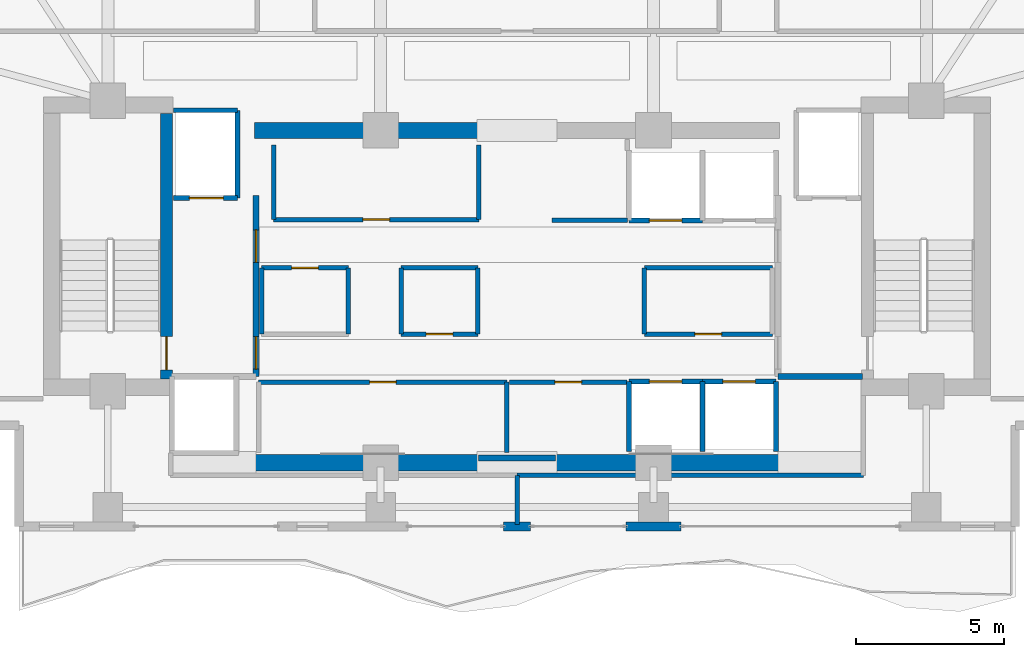
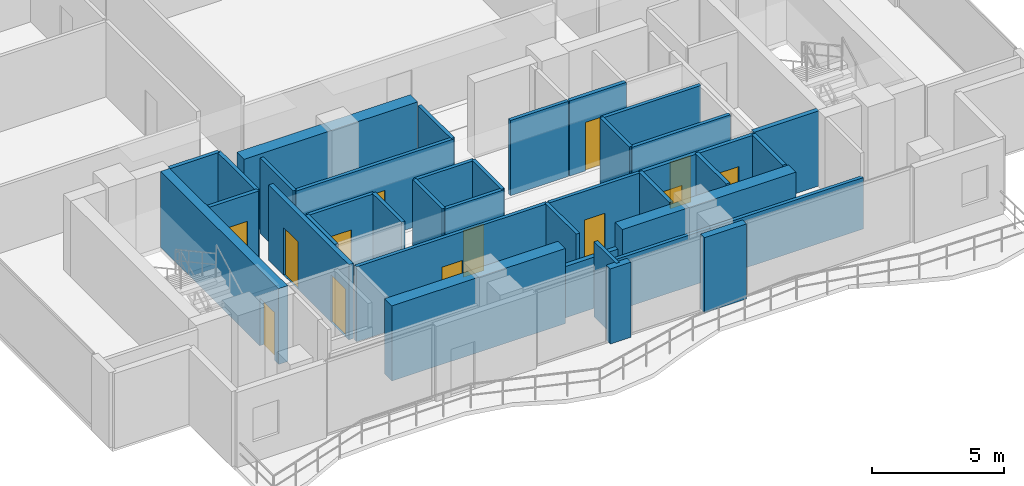
# One storey, part 17 of 23: 37 walls, 13 doors, 13 openings.
"""IFC4 building model written with IfcOpenShell, lengths in metres."""

from ifc_helpers import new_model, si_unit, direction, frame, frame_2d, origin, place, context, subcontext, project, spatial, rectangle, extrude, material, layer, layer_set, type_object, element, fill, save


model = new_model("IFC4")

# Units and contexts
model_context = context("Model", 3, precision=1e-05, world=origin(), true_north=direction((0.0, 1.0)))
body_context = subcontext(model_context, "Body", "Model", "MODEL_VIEW")
ifc_project = project(units=[si_unit("LENGTHUNIT", "METRE"), si_unit("AREAUNIT", "SQUARE_METRE"), si_unit("VOLUMEUNIT", "CUBIC_METRE"), si_unit("PLANEANGLEUNIT", "RADIAN"), si_unit("MASSUNIT", "GRAM", prefix="KILO")], contexts=[model_context])

# Site, building, storey
site_placement = place(None, origin())
site = spatial("IfcSite", under=ifc_project, at=site_placement, CompositionType="ELEMENT")
building_placement = place(site_placement, origin())
building = spatial("IfcBuilding", under=site, at=building_placement, Name="Zuhayl Quay Hotel", CompositionType="ELEMENT")
storey_placement = place(building_placement, frame((0.0, 0.0, 272.949951171875)))
storey = spatial("IfcBuildingStorey", under=building, at=storey_placement, Name="L69", CompositionType="ELEMENT", Elevation=272.949951171875)

# Walls
ifc_material_1 = material(Name="Concrete C50/60", Category="concrete")
ifc_layer_1 = layer(ifc_material_1, 0.550048828125, Name="Concrete C50/60", Category="concrete")
ifc_layer_set_1 = layer_set([ifc_layer_1], Name="Concrete C50/60")
wall_type_1 = type_object("IfcWallType", Name="WL_CORE_550", PredefinedType="SHEAR", material=ifc_layer_set_1)
for number, where, z_axis, x_axis, name in (
    (1, (-8.85009765625, 2.14990234375, 0.0), (0.0, 0.0, 1.0), (1.0, 0.0, 0.0), "L69 Core Shear Wall CW_SC_W"),
    (2, (1.25, 2.14990234375, 0.0), (0.0, 0.0, 1.0), (1.0, 0.0, 0.0), "L69 Core Shear Wall CW_SC_E"),
    (3, (-8.85009765625, 13.35009765625, 0.0), (0.0, 0.0, 1.0), (1.0, 0.0, 0.0), "L69 Core Shear Wall CW_NC_W"),
):
    element("IfcWall", number, at=place(storey_placement, frame(where, z_axis=z_axis, x_axis=x_axis)), inside=storey, type_object=wall_type_1, Name=name, PredefinedType="SHEAR", context=body_context, shape_type="SweptSolid", body=[
        extrude(rectangle(XDim=7.60009765625, YDim=0.550048828125, at=frame_2d((3.800048828125, 0.0))), origin(), (0.0, 0.0, 1.0), 3.47998046875),
    ])
ifc_material_2 = material(Name="Precast concrete C45/55", Category="concrete")
ifc_layer_2 = layer(ifc_material_2, 0.300048828125, Name="Precast concrete C45/55", Category="concrete")
ifc_layer_set_2 = layer_set([ifc_layer_2], Name="Precast concrete C45/55")
wall_type_2 = type_object("IfcWallType", Name="WL_EXT_300", PredefinedType="STANDARD", material=ifc_layer_set_2)
wall_1_placement = place(storey_placement, frame((5.52001953125, 0.0, 0.0), z_axis=(0.0, 0.0, 1.0), x_axis=(-1.0, 0.0, 0.0)))
element("IfcWall", 4, at=wall_1_placement, inside=storey, type_object=wall_type_2, Name="L69 Exterior Precast Wall ENV_L69_S_EW2", PredefinedType="STANDARD", context=body_context, shape_type="SweptSolid", body=[
    extrude(rectangle(XDim=1.840087890625, YDim=0.300048828125, at=frame_2d((0.919921875, 0.0))), origin(), (0.0, 0.0, 1.0), 3.47998046875),
])
wall_2_placement = place(storey_placement, frame((0.449951171875, 0.0, 0.0), z_axis=(0.0, 0.0, 1.0), x_axis=(-1.0, 0.0, 0.0)))
element("IfcWall", 5, at=wall_2_placement, inside=storey, type_object=wall_type_2, Name="L69 Exterior Precast Wall ENV_L69_S_EW3", PredefinedType="STANDARD", context=body_context, shape_type="SweptSolid", body=[
    extrude(rectangle(XDim=0.89990234375, YDim=0.300048828125, at=frame_2d((0.449951171875, 0.0))), origin(), (0.0, 0.0, 1.0), 3.47998046875),
])

# Wall, opening, door
ifc_material_3 = material(Name="Acoustic Gypsum Partition STC-58")
ifc_layer_3 = layer(ifc_material_3, 0.14990234375, Name="Acoustic Gypsum Partition STC-58")
ifc_layer_set_3 = layer_set([ifc_layer_3], Name="Acoustic Gypsum Partition STC-58")
wall_type_3 = type_object("IfcWallType", Name="WL_PART_150", PredefinedType="PARTITIONING", material=ifc_layer_set_3)
wall_3_placement = place(storey_placement, frame((-8.7099609375, 4.860107421875, 0.0), z_axis=(0.0, 0.0, 1.0), x_axis=(1.0, 0.0, 0.0)))
wall_3 = element("IfcWall", 6, at=wall_3_placement, inside=storey, type_object=wall_type_3, Name="L69 Partition IW_L69_FMP_SW_N", PredefinedType="PARTITIONING", context=body_context, shape_type="SweptSolid", body=[
    extrude(rectangle(XDim=8.369873046875, YDim=0.14990234375, at=frame_2d((4.18505859375, 0.0))), origin(), (0.0, 0.0, 1.0), 3.47998046875),
])
opening_1_placement = place(wall_3_placement, frame((3.735107421875, 0.0, 0.0)))
opening_1 = element("IfcOpeningElement", 7, at=opening_1_placement, cuts=wall_3, Name="Opening D06", PredefinedType="OPENING", context=body_context, shape_type="SweptSolid", body=[
    extrude(rectangle(XDim=0.89990234375, YDim=2.14990234375, at=frame_2d((0.449951171875, 1.074951171875))), frame((0.0, 0.0849609375, 0.0), z_axis=(0.0, -1.0, 0.0), x_axis=(1.0, 0.0, 0.0)), (0.0, 0.0, 1.0), 0.169921875),
])
ifc_material_4 = material(Name="Steel ASTM A992 Grade 50", Category="steel")
door_type_1 = type_object("IfcDoorType", Name="DR_INT_900", OperationType="NOTDEFINED", PredefinedType="DOOR", material=ifc_material_4)
door_1_placement = place(opening_1_placement, origin())
door_1 = element("IfcDoor", 8, at=door_1_placement, inside=storey, type_object=door_type_1, Name="L69 Royal Butler Servery Door", OperationType="SINGLE_SWING_RIGHT", OverallHeight=2.14990234375, OverallWidth=0.89990234375, PredefinedType="DOOR", context=body_context, shape_type="SweptSolid", body=[
    extrude(rectangle(XDim=0.89990234375, YDim=2.14990234375, at=frame_2d((0.449951171875, 1.074951171875))), frame((0.0, 0.02490234375, 0.0), z_axis=(0.0, -1.0, 0.0), x_axis=(1.0, 0.0, 0.0)), (0.0, 0.0, 1.0), 0.050048828125),
])
fill(opening_1, door_1)

wall_4_placement = place(storey_placement, frame((-0.260009765625, 4.860107421875, 0.0), z_axis=(0.0, 0.0, 1.0), x_axis=(1.0, 0.0, 0.0)))
wall_4 = element("IfcWall", 9, at=wall_4_placement, inside=storey, type_object=wall_type_3, Name="L69 Partition IW_L69_FMP_SE_N", PredefinedType="PARTITIONING", context=body_context, shape_type="SweptSolid", body=[
    extrude(rectangle(XDim=3.969970703125, YDim=0.14990234375, at=frame_2d((1.98486328125, 0.0))), origin(), (0.0, 0.0, 1.0), 3.47998046875),
])
opening_2_placement = place(wall_4_placement, frame((1.534912109375, 0.0, 0.0)))
opening_2 = element("IfcOpeningElement", 10, at=opening_2_placement, cuts=wall_4, Name="Opening D06", PredefinedType="OPENING", context=body_context, shape_type="SweptSolid", body=[
    extrude(rectangle(XDim=0.89990234375, YDim=2.14990234375, at=frame_2d((0.449951171875, 1.074951171875))), frame((0.0, 0.0849609375, 0.0), z_axis=(0.0, -1.0, 0.0), x_axis=(1.0, 0.0, 0.0)), (0.0, 0.0, 1.0), 0.169921875),
])
door_2_placement = place(opening_2_placement, origin())
door_2 = element("IfcDoor", 11, at=door_2_placement, inside=storey, type_object=door_type_1, Name="L69 Butler Store East Door", OperationType="SINGLE_SWING_LEFT", OverallHeight=2.14990234375, OverallWidth=0.89990234375, PredefinedType="DOOR", context=body_context, shape_type="SweptSolid", body=[
    extrude(rectangle(XDim=0.89990234375, YDim=2.14990234375, at=frame_2d((0.449951171875, 1.074951171875))), frame((0.0, 0.02490234375, 0.0), z_axis=(0.0, -1.0, 0.0), x_axis=(1.0, 0.0, 0.0)), (0.0, 0.0, 1.0), 0.050048828125),
])
fill(opening_2, door_2)

wall_5_placement = place(storey_placement, frame((-8.2099609375, 10.340087890625, 0.0), z_axis=(0.0, 0.0, 1.0), x_axis=(1.0, 0.0, 0.0)))
wall_5 = element("IfcWall", 12, at=wall_5_placement, inside=storey, type_object=wall_type_3, Name="L69 Partition IW_L69_FMP_NW_S", PredefinedType="PARTITIONING", context=body_context, shape_type="SweptSolid", body=[
    extrude(rectangle(XDim=6.919921875, YDim=0.14990234375, at=frame_2d((3.4599609375, 0.0))), origin(), (0.0, 0.0, 1.0), 3.47998046875),
])
opening_3_placement = place(wall_5_placement, frame((3.010009765625, 0.0, 0.0)))
opening_3 = element("IfcOpeningElement", 13, at=opening_3_placement, cuts=wall_5, Name="Opening D06", PredefinedType="OPENING", context=body_context, shape_type="SweptSolid", body=[
    extrude(rectangle(XDim=0.89990234375, YDim=2.14990234375, at=frame_2d((0.449951171875, 1.074951171875))), frame((0.0, 0.0849609375, 0.0), z_axis=(0.0, -1.0, 0.0), x_axis=(1.0, 0.0, 0.0)), (0.0, 0.0, 1.0), 0.169921875),
])
door_3_placement = place(opening_3_placement, origin())
door_3 = element("IfcDoor", 14, at=door_3_placement, inside=storey, type_object=door_type_1, Name="L69 Valet Locker Store Door", OperationType="SINGLE_SWING_RIGHT", OverallHeight=2.14990234375, OverallWidth=0.89990234375, PredefinedType="DOOR", context=body_context, shape_type="SweptSolid", body=[
    extrude(rectangle(XDim=0.89990234375, YDim=2.14990234375, at=frame_2d((0.449951171875, 1.074951171875))), frame((0.0, 0.02490234375, 0.0), z_axis=(0.0, -1.0, 0.0), x_axis=(1.0, 0.0, 0.0)), (0.0, 0.0, 1.0), 0.050048828125),
])
fill(opening_3, door_3)

wall_6_placement = place(storey_placement, frame((-8.610107421875, 8.719970703125, 0.0), z_axis=(0.0, 0.0, 1.0), x_axis=(1.0, 0.0, 0.0)))
wall_6 = element("IfcWall", 15, at=wall_6_placement, inside=storey, type_object=wall_type_3, Name="L69 Partition IW_L69_CORE_HK_N", PredefinedType="PARTITIONING", context=body_context, shape_type="SweptSolid", body=[
    extrude(rectangle(XDim=2.920166015625, YDim=0.14990234375, at=frame_2d((1.4599609375, 0.0))), origin(), (0.0, 0.0, 1.0), 3.47998046875),
])
opening_4_placement = place(wall_6_placement, frame((1.010009765625, 0.0, 0.0)))
opening_4 = element("IfcOpeningElement", 16, at=opening_4_placement, cuts=wall_6, Name="Opening D06", PredefinedType="OPENING", context=body_context, shape_type="SweptSolid", body=[
    extrude(rectangle(XDim=0.89990234375, YDim=2.14990234375, at=frame_2d((0.449951171875, 1.074951171875))), frame((0.0, 0.0849609375, 0.0), z_axis=(0.0, -1.0, 0.0), x_axis=(1.0, 0.0, 0.0)), (0.0, 0.0, 1.0), 0.169921875),
])
door_4_placement = place(opening_4_placement, origin())
door_4 = element("IfcDoor", 17, at=door_4_placement, inside=storey, type_object=door_type_1, Name="L69 Core Housekeeping Store Door", OperationType="SINGLE_SWING_LEFT", OverallHeight=2.14990234375, OverallWidth=0.89990234375, PredefinedType="DOOR", context=body_context, shape_type="SweptSolid", body=[
    extrude(rectangle(XDim=0.89990234375, YDim=2.14990234375, at=frame_2d((0.449951171875, 1.074951171875))), frame((0.0, 0.02490234375, 0.0), z_axis=(0.0, -1.0, 0.0), x_axis=(1.0, 0.0, 0.0)), (0.0, 0.0, 1.0), 0.050048828125),
])
fill(opening_4, door_4)

wall_7_placement = place(storey_placement, frame((-3.909912109375, 6.47998046875, 0.0), z_axis=(0.0, 0.0, 1.0), x_axis=(1.0, 0.0, 0.0)))
wall_7 = element("IfcWall", 18, at=wall_7_placement, inside=storey, type_object=wall_type_3, Name="L69 Partition IW_L69_CORE_BC_S", PredefinedType="PARTITIONING", context=body_context, shape_type="SweptSolid", body=[
    extrude(rectangle(XDim=2.58984375, YDim=0.14990234375, at=frame_2d((1.294921875, 0.0))), origin(), (0.0, 0.0, 1.0), 3.47998046875),
])
opening_5_placement = place(wall_7_placement, frame((0.844970703125, 0.0, 0.0)))
opening_5 = element("IfcOpeningElement", 19, at=opening_5_placement, cuts=wall_7, Name="Opening D06", PredefinedType="OPENING", context=body_context, shape_type="SweptSolid", body=[
    extrude(rectangle(XDim=0.89990234375, YDim=2.14990234375, at=frame_2d((0.449951171875, 1.074951171875))), frame((0.0, 0.0849609375, 0.0), z_axis=(0.0, -1.0, 0.0), x_axis=(1.0, 0.0, 0.0)), (0.0, 0.0, 1.0), 0.169921875),
])
door_5_placement = place(opening_5_placement, origin())
door_5 = element("IfcDoor", 20, at=door_5_placement, inside=storey, type_object=door_type_1, Name="L69 BMS Control Closet Door", OperationType="SINGLE_SWING_RIGHT", OverallHeight=2.14990234375, OverallWidth=0.89990234375, PredefinedType="DOOR", context=body_context, shape_type="SweptSolid", body=[
    extrude(rectangle(XDim=0.89990234375, YDim=2.14990234375, at=frame_2d((0.449951171875, 1.074951171875))), frame((0.0, 0.02490234375, 0.0), z_axis=(0.0, -1.0, 0.0), x_axis=(1.0, 0.0, 0.0)), (0.0, 0.0, 1.0), 0.050048828125),
])
fill(opening_5, door_5)

wall_8_placement = place(storey_placement, frame((4.2900390625, 6.47998046875, 0.0), z_axis=(0.0, 0.0, 1.0), x_axis=(1.0, 0.0, 0.0)))
wall_8 = element("IfcWall", 21, at=wall_8_placement, inside=storey, type_object=wall_type_3, Name="L69 Partition IW_L69_CORE_VL_S", PredefinedType="PARTITIONING", context=body_context, shape_type="SweptSolid", body=[
    extrude(rectangle(XDim=4.320068359375, YDim=0.14990234375, at=frame_2d((2.16015625, 0.0))), origin(), (0.0, 0.0, 1.0), 3.47998046875),
])
opening_6_placement = place(wall_8_placement, frame((1.7099609375, 0.0, 0.0)))
opening_6 = element("IfcOpeningElement", 22, at=opening_6_placement, cuts=wall_8, Name="Opening D06", PredefinedType="OPENING", context=body_context, shape_type="SweptSolid", body=[
    extrude(rectangle(XDim=0.89990234375, YDim=2.14990234375, at=frame_2d((0.449951171875, 1.074951171875))), frame((0.0, 0.0849609375, 0.0), z_axis=(0.0, -1.0, 0.0), x_axis=(1.0, 0.0, 0.0)), (0.0, 0.0, 1.0), 0.169921875),
])
door_6_placement = place(opening_6_placement, origin())
door_6 = element("IfcDoor", 23, at=door_6_placement, inside=storey, type_object=door_type_1, Name="L69 Floor Valet Store Door", OperationType="SINGLE_SWING_LEFT", OverallHeight=2.14990234375, OverallWidth=0.89990234375, PredefinedType="DOOR", context=body_context, shape_type="SweptSolid", body=[
    extrude(rectangle(XDim=0.89990234375, YDim=2.14990234375, at=frame_2d((0.449951171875, 1.074951171875))), frame((0.0, 0.02490234375, 0.0), z_axis=(0.0, -1.0, 0.0), x_axis=(1.0, 0.0, 0.0)), (0.0, 0.0, 1.0), 0.050048828125),
])
fill(opening_6, door_6)

# Walls
wall_9_placement = place(storey_placement, frame((-0.340087890625, 2.489990234375, 0.0), z_axis=(0.0, 0.0, 1.0), x_axis=(0.0, 1.0, 0.0)))
element("IfcWall", 24, at=wall_9_placement, inside=storey, type_object=wall_type_3, Name="L69 Partition IW_L69_FMP_SW_E", PredefinedType="PARTITIONING", context=body_context, shape_type="SweptSolid", body=[
    extrude(rectangle(XDim=2.3701171875, YDim=0.14990234375, at=frame_2d((1.18505859375, 0.0))), origin(), (0.0, 0.0, 1.0), 3.47998046875),
])
for number, where, z_axis, x_axis, name in (
    (25, (-8.2099609375, 10.340087890625, 0.0), (0.0, 0.0, 1.0), (0.0, 1.0, 0.0), "L69 Partition IW_L69_FMP_NW_W"),
    (26, (-1.2900390625, 10.340087890625, 0.0), (0.0, 0.0, 1.0), (0.0, 1.0, 0.0), "L69 Partition IW_L69_FMP_NW_E"),
):
    element("IfcWall", number, at=place(storey_placement, frame(where, z_axis=z_axis, x_axis=x_axis)), inside=storey, type_object=wall_type_3, Name=name, PredefinedType="PARTITIONING", context=body_context, shape_type="SweptSolid", body=[
        extrude(rectangle(XDim=2.52001953125, YDim=0.14990234375, at=frame_2d((1.260009765625, 0.0))), origin(), (0.0, 0.0, 1.0), 3.47998046875),
    ])
for number, where, z_axis, x_axis, name in (
    (27, (-8.610107421875, 6.47998046875, 0.0), (0.0, 0.0, 1.0), (0.0, 1.0, 0.0), "L69 Partition IW_L69_CORE_HK_W"),
    (28, (-5.68994140625, 6.47998046875, 0.0), (0.0, 0.0, 1.0), (0.0, 1.0, 0.0), "L69 Partition IW_L69_CORE_HK_E"),
):
    element("IfcWall", number, at=place(storey_placement, frame(where, z_axis=z_axis, x_axis=x_axis)), inside=storey, type_object=wall_type_3, Name=name, PredefinedType="PARTITIONING", context=body_context, shape_type="SweptSolid", body=[
        extrude(rectangle(XDim=2.239990234375, YDim=0.14990234375, at=frame_2d((1.1201171875, 0.0))), origin(), (0.0, 0.0, 1.0), 3.47998046875),
    ])
wall_10_placement = place(storey_placement, frame((-3.909912109375, 8.719970703125, 0.0), z_axis=(0.0, 0.0, 1.0), x_axis=(1.0, 0.0, 0.0)))
element("IfcWall", 29, at=wall_10_placement, inside=storey, type_object=wall_type_3, Name="L69 Partition IW_L69_CORE_BC_N", PredefinedType="PARTITIONING", context=body_context, shape_type="SweptSolid", body=[
    extrude(rectangle(XDim=2.58984375, YDim=0.14990234375, at=frame_2d((1.294921875, 0.0))), origin(), (0.0, 0.0, 1.0), 3.47998046875),
])
for number, where, z_axis, x_axis, name in (
    (30, (-3.909912109375, 6.47998046875, 0.0), (0.0, 0.0, 1.0), (0.0, 1.0, 0.0), "L69 Partition IW_L69_CORE_BC_W"),
    (31, (-1.320068359375, 6.47998046875, 0.0), (0.0, 0.0, 1.0), (0.0, 1.0, 0.0), "L69 Partition IW_L69_CORE_BC_E"),
):
    element("IfcWall", number, at=place(storey_placement, frame(where, z_axis=z_axis, x_axis=x_axis)), inside=storey, type_object=wall_type_3, Name=name, PredefinedType="PARTITIONING", context=body_context, shape_type="SweptSolid", body=[
        extrude(rectangle(XDim=2.239990234375, YDim=0.14990234375, at=frame_2d((1.1201171875, 0.0))), origin(), (0.0, 0.0, 1.0), 3.47998046875),
    ])
wall_11_placement = place(storey_placement, frame((4.2900390625, 8.719970703125, 0.0), z_axis=(0.0, 0.0, 1.0), x_axis=(1.0, 0.0, 0.0)))
element("IfcWall", 32, at=wall_11_placement, inside=storey, type_object=wall_type_3, Name="L69 Partition IW_L69_CORE_VL_N", PredefinedType="PARTITIONING", context=body_context, shape_type="SweptSolid", body=[
    extrude(rectangle(XDim=4.320068359375, YDim=0.14990234375, at=frame_2d((2.16015625, 0.0))), origin(), (0.0, 0.0, 1.0), 3.47998046875),
])
wall_12_placement = place(storey_placement, frame((4.2900390625, 6.47998046875, 0.0), z_axis=(0.0, 0.0, 1.0), x_axis=(0.0, 1.0, 0.0)))
element("IfcWall", 33, at=wall_12_placement, inside=storey, type_object=wall_type_3, Name="L69 Partition IW_L69_CORE_VL_W", PredefinedType="PARTITIONING", context=body_context, shape_type="SweptSolid", body=[
    extrude(rectangle(XDim=2.239990234375, YDim=0.14990234375, at=frame_2d((1.1201171875, 0.0))), origin(), (0.0, 0.0, 1.0), 3.47998046875),
])
wall_13_placement = place(storey_placement, frame((1.179931640625, 10.320068359375, 0.0), z_axis=(0.0, 0.0, 1.0), x_axis=(1.0, 0.0, 0.0)))
element("IfcWall", 34, at=wall_13_placement, inside=storey, type_object=wall_type_3, Name="L69 Partition IW_L69_VEST_MP4_S", PredefinedType="PARTITIONING", context=body_context, shape_type="SweptSolid", body=[
    extrude(rectangle(XDim=2.5400390625, YDim=0.14990234375, at=frame_2d((1.27001953125, 0.0))), origin(), (0.0, 0.0, 1.0), 3.47998046875),
])
wall_14_placement = place(storey_placement, frame((0.0, 1.719970703125, 0.0), z_axis=(0.0, 0.0, 1.0), x_axis=(1.0, 0.0, 0.0)))
element("IfcWall", 35, at=wall_14_placement, inside=storey, type_object=wall_type_3, Name="L69 Partition IW_L69_Z4_SUN_SE_SN", PredefinedType="PARTITIONING", context=body_context, shape_type="SweptSolid", body=[
    extrude(rectangle(XDim=11.679931640625, YDim=0.14990234375, at=frame_2d((5.83984375, 0.0))), origin(), (0.0, 0.0, 1.0), 2.380126953125),
])
wall_15_placement = place(storey_placement, frame((0.0, 0.06005859375, 0.0), z_axis=(0.0, 0.0, 1.0), x_axis=(0.0, 1.0, 0.0)))
element("IfcWall", 36, at=wall_15_placement, inside=storey, type_object=wall_type_3, Name="L69 Partition IW_L69_Z4_SUN_MID", PredefinedType="PARTITIONING", context=body_context, shape_type="SweptSolid", body=[
    extrude(rectangle(XDim=1.659912109375, YDim=0.14990234375, at=frame_2d((0.830078125, 0.0))), origin(), (0.0, 0.0, 1.0), 3.47998046875),
])

# Wall, opening, door
ifc_material_5 = material(Name="Gypsum Fireboard Assembly EI-90")
ifc_layer_4 = layer(ifc_material_5, 0.1650390625, Name="Gypsum Fireboard Assembly EI-90")
ifc_layer_set_4 = layer_set([ifc_layer_4], Name="Gypsum Fireboard Assembly EI-90")
wall_type_4 = type_object("IfcWallType", Name="WL_PART_SHAFT_160", PredefinedType="PARTITIONING", material=ifc_layer_set_4)
wall_16_placement = place(storey_placement, frame((-11.580078125, 11.070068359375, 0.0), z_axis=(0.0, 0.0, 1.0), x_axis=(1.0, 0.0, 0.0)))
wall_16 = element("IfcWall", 37, at=wall_16_placement, inside=storey, type_object=wall_type_4, Name="L69 Partition IW_L69_SH_FL1_F", PredefinedType="PARTITIONING", context=body_context, shape_type="SweptSolid", body=[
    extrude(rectangle(XDim=2.16015625, YDim=0.1650390625, at=frame_2d((1.080078125, 0.0))), origin(), (0.0, 0.0, 1.0), 3.47998046875),
])
opening_7_placement = place(wall_16_placement, frame((0.530029296875, 0.0, 0.0)))
opening_7 = element("IfcOpeningElement", 38, at=opening_7_placement, cuts=wall_16, Name="Opening LD2", PredefinedType="OPENING", context=body_context, shape_type="SweptSolid", body=[
    extrude(rectangle(XDim=1.14990234375, YDim=2.25, at=frame_2d((0.574951171875, 1.125))), frame((0.0, 0.092529296875, 0.0), z_axis=(0.0, -1.0, 0.0), x_axis=(1.0, 0.0, 0.0)), (0.0, 0.0, 1.0), 0.18505859375),
])
ifc_material_6 = material(Name="Brushed Stainless Steel", Category="steel")
door_type_2 = type_object("IfcDoorType", Name="DR_LIFT_FF_1100", OperationType="SLIDING_TO_LEFT", PredefinedType="DOOR", material=ifc_material_6)
door_7_placement = place(opening_7_placement, origin())
door_7 = element("IfcDoor", 39, at=door_7_placement, inside=storey, type_object=door_type_2, Name="L69 Lift FL1 Sliding Landing Door", OperationType="SLIDING_TO_LEFT", OverallHeight=2.25, OverallWidth=1.14990234375, PredefinedType="DOOR", context=body_context, shape_type="SweptSolid", body=[
    extrude(rectangle(XDim=1.14990234375, YDim=2.25, at=frame_2d((0.574951171875, 1.125))), frame((0.0, 0.02490234375, 0.0), z_axis=(0.0, -1.0, 0.0), x_axis=(1.0, 0.0, 0.0)), (0.0, 0.0, 1.0), 0.050048828125),
])
fill(opening_7, door_7)

wall_17_placement = place(storey_placement, frame((3.77001953125, 4.8798828125, 0.0), z_axis=(0.0, 0.0, 1.0), x_axis=(1.0, 0.0, 0.0)))
wall_17 = element("IfcWall", 40, at=wall_17_placement, inside=storey, type_object=wall_type_4, Name="L69 Partition IW_L69_SH_HP1_F", PredefinedType="PARTITIONING", context=body_context, shape_type="SweptSolid", body=[
    extrude(rectangle(XDim=2.47998046875, YDim=0.1650390625, at=frame_2d((1.239990234375, 0.0))), origin(), (0.0, 0.0, 1.0), 3.47998046875),
])
opening_8_placement = place(wall_17_placement, frame((0.68994140625, 0.0, 0.0)))
opening_8 = element("IfcOpeningElement", 41, at=opening_8_placement, cuts=wall_17, Name="Opening LD1", PredefinedType="OPENING", context=body_context, shape_type="SweptSolid", body=[
    extrude(rectangle(XDim=1.10009765625, YDim=2.25, at=frame_2d((0.550048828125, 1.125))), frame((0.0, 0.092529296875, 0.0), z_axis=(0.0, -1.0, 0.0), x_axis=(1.0, 0.0, 0.0)), (0.0, 0.0, 1.0), 0.18505859375),
])
door_type_3 = type_object("IfcDoorType", Name="DR_LIFT_PASS_1100", OperationType="SLIDING_TO_LEFT", PredefinedType="DOOR", material=ifc_material_6)
door_8_placement = place(opening_8_placement, origin())
door_8 = element("IfcDoor", 42, at=door_8_placement, inside=storey, type_object=door_type_3, Name="L69 Lift HP1 Sliding Landing Door", OperationType="SLIDING_TO_LEFT", OverallHeight=2.25, OverallWidth=1.10009765625, PredefinedType="DOOR", context=body_context, shape_type="SweptSolid", body=[
    extrude(rectangle(XDim=1.10009765625, YDim=2.25, at=frame_2d((0.550048828125, 1.125))), frame((0.0, 0.02490234375, 0.0), z_axis=(0.0, -1.0, 0.0), x_axis=(1.0, 0.0, 0.0)), (0.0, 0.0, 1.0), 0.050048828125),
])
fill(opening_8, door_8)

wall_18_placement = place(storey_placement, frame((6.25, 4.8798828125, 0.0), z_axis=(0.0, 0.0, 1.0), x_axis=(1.0, 0.0, 0.0)))
wall_18 = element("IfcWall", 43, at=wall_18_placement, inside=storey, type_object=wall_type_4, Name="L69 Partition IW_L69_SH_HP2_F", PredefinedType="PARTITIONING", context=body_context, shape_type="SweptSolid", body=[
    extrude(rectangle(XDim=2.47998046875, YDim=0.1650390625, at=frame_2d((1.239990234375, 0.0))), origin(), (0.0, 0.0, 1.0), 3.47998046875),
])
opening_9_placement = place(wall_18_placement, frame((0.68994140625, 0.0, 0.0)))
opening_9 = element("IfcOpeningElement", 44, at=opening_9_placement, cuts=wall_18, Name="Opening LD1", PredefinedType="OPENING", context=body_context, shape_type="SweptSolid", body=[
    extrude(rectangle(XDim=1.10009765625, YDim=2.25, at=frame_2d((0.550048828125, 1.125))), frame((0.0, 0.092529296875, 0.0), z_axis=(0.0, -1.0, 0.0), x_axis=(1.0, 0.0, 0.0)), (0.0, 0.0, 1.0), 0.18505859375),
])
door_9_placement = place(opening_9_placement, origin())
door_9 = element("IfcDoor", 45, at=door_9_placement, inside=storey, type_object=door_type_3, Name="L69 Lift HP2 Sliding Landing Door", OperationType="SLIDING_TO_LEFT", OverallHeight=2.25, OverallWidth=1.10009765625, PredefinedType="DOOR", context=body_context, shape_type="SweptSolid", body=[
    extrude(rectangle(XDim=1.10009765625, YDim=2.25, at=frame_2d((0.550048828125, 1.125))), frame((0.0, 0.02490234375, 0.0), z_axis=(0.0, -1.0, 0.0), x_axis=(1.0, 0.0, 0.0)), (0.0, 0.0, 1.0), 0.050048828125),
])
fill(opening_9, door_9)

wall_19_placement = place(storey_placement, frame((3.77001953125, 10.320068359375, 0.0), z_axis=(0.0, 0.0, 1.0), x_axis=(1.0, 0.0, 0.0)))
wall_19 = element("IfcWall", 46, at=wall_19_placement, inside=storey, type_object=wall_type_4, Name="L69 Partition IW_L69_SH_HP3_F", PredefinedType="PARTITIONING", context=body_context, shape_type="SweptSolid", body=[
    extrude(rectangle(XDim=2.47998046875, YDim=0.1650390625, at=frame_2d((1.239990234375, 0.0))), origin(), (0.0, 0.0, 1.0), 3.47998046875),
])
opening_10_placement = place(wall_19_placement, frame((0.68994140625, 0.0, 0.0)))
opening_10 = element("IfcOpeningElement", 47, at=opening_10_placement, cuts=wall_19, Name="Opening LD1", PredefinedType="OPENING", context=body_context, shape_type="SweptSolid", body=[
    extrude(rectangle(XDim=1.10009765625, YDim=2.25, at=frame_2d((0.550048828125, 1.125))), frame((0.0, 0.092529296875, 0.0), z_axis=(0.0, -1.0, 0.0), x_axis=(1.0, 0.0, 0.0)), (0.0, 0.0, 1.0), 0.18505859375),
])
door_10_placement = place(opening_10_placement, origin())
door_10 = element("IfcDoor", 48, at=door_10_placement, inside=storey, type_object=door_type_3, Name="L69 Lift HP3 Sliding Landing Door", OperationType="SLIDING_TO_LEFT", OverallHeight=2.25, OverallWidth=1.10009765625, PredefinedType="DOOR", context=body_context, shape_type="SweptSolid", body=[
    extrude(rectangle(XDim=1.10009765625, YDim=2.25, at=frame_2d((0.550048828125, 1.125))), frame((0.0, 0.02490234375, 0.0), z_axis=(0.0, -1.0, 0.0), x_axis=(1.0, 0.0, 0.0)), (0.0, 0.0, 1.0), 0.050048828125),
])
fill(opening_10, door_10)

# Walls
wall_20_placement = place(storey_placement, frame((-9.419921875, 11.070068359375, 0.0), z_axis=(0.0, 0.0, 1.0), x_axis=(0.0, 1.0, 0.0)))
element("IfcWall", 49, at=wall_20_placement, inside=storey, type_object=wall_type_4, Name="L69 Partition IW_L69_SH_FL1_E", PredefinedType="PARTITIONING", context=body_context, shape_type="SweptSolid", body=[
    extrude(rectangle(XDim=2.9599609375, YDim=0.1650390625, at=frame_2d((1.47998046875, 0.0))), origin(), (0.0, 0.0, 1.0), 3.47998046875),
])
wall_21_placement = place(storey_placement, frame((-11.580078125, 14.030029296875, 0.0), z_axis=(0.0, 0.0, 1.0), x_axis=(1.0, 0.0, 0.0)))
element("IfcWall", 50, at=wall_21_placement, inside=storey, type_object=wall_type_4, Name="L69 Partition IW_L69_SH_FL1_B", PredefinedType="PARTITIONING", context=body_context, shape_type="SweptSolid", body=[
    extrude(rectangle(XDim=2.16015625, YDim=0.1650390625, at=frame_2d((1.080078125, 0.0))), origin(), (0.0, 0.0, 1.0), 3.47998046875),
])
for number, where, z_axis, x_axis, name in (
    (51, (3.77001953125, 2.52001953125, 0.0), (0.0, 0.0, 1.0), (0.0, 1.0, 0.0), "L69 Partition IW_L69_SH_HP1_W"),
    (52, (6.25, 2.52001953125, 0.0), (0.0, 0.0, 1.0), (0.0, 1.0, 0.0), "L69 Partition IW_L69_SH_HP1_E"),
    (53, (8.72998046875, 2.52001953125, 0.0), (0.0, 0.0, 1.0), (0.0, 1.0, 0.0), "L69 Partition IW_L69_SH_HP2_E"),
):
    element("IfcWall", number, at=place(storey_placement, frame(where, z_axis=z_axis, x_axis=x_axis)), inside=storey, type_object=wall_type_4, Name=name, PredefinedType="PARTITIONING", context=body_context, shape_type="SweptSolid", body=[
        extrude(rectangle(XDim=2.35986328125, YDim=0.1650390625, at=frame_2d((1.179931640625, 0.0))), origin(), (0.0, 0.0, 1.0), 3.47998046875),
    ])

# Wall, openings, doors
ifc_material_7 = material(Name="Gypsum Fireboard Assembly EI-120")
ifc_layer_5 = layer(ifc_material_7, 0.199951171875, Name="Gypsum Fireboard Assembly EI-120")
ifc_layer_set_5 = layer_set([ifc_layer_5], Name="Gypsum Fireboard Assembly EI-120")
wall_type_5 = type_object("IfcWallType", Name="WL_PART_SHAFT_200", PredefinedType="PARTITIONING", material=ifc_layer_set_5)
wall_22_placement = place(storey_placement, frame((-8.800048828125, 5.050048828125, 0.0), z_axis=(0.0, 0.0, 1.0), x_axis=(0.0, 1.0, 0.0)))
wall_22 = element("IfcWall", 54, at=wall_22_placement, inside=storey, type_object=wall_type_5, Name="L69 Partition IW_L69_FSAE_W_E", PredefinedType="PARTITIONING", context=body_context, shape_type="SweptSolid", body=[
    extrude(rectangle(XDim=6.099853515625, YDim=0.199951171875, at=frame_2d((3.0498046875, 0.0))), origin(), (0.0, 0.0, 1.0), 3.47998046875),
])
opening_11_placement = place(wall_22_placement, frame((0.25, 0.0, 0.0)))
opening_11 = element("IfcOpeningElement", 55, at=opening_11_placement, cuts=wall_22, Name="Opening D02", PredefinedType="OPENING", context=body_context, shape_type="SweptSolid", body=[
    extrude(rectangle(XDim=1.10009765625, YDim=2.199951171875, at=frame_2d((0.550048828125, 1.10009765625))), frame((0.0, 0.10986328125, 0.0), z_axis=(0.0, -1.0, 0.0), x_axis=(1.0, 0.0, 0.0)), (0.0, 0.0, 1.0), 0.219970703125),
])
opening_12_placement = place(wall_22_placement, frame((3.85009765625, 0.0, 0.0)))
opening_12 = element("IfcOpeningElement", 56, at=opening_12_placement, cuts=wall_22, Name="Opening D02", PredefinedType="OPENING", context=body_context, shape_type="SweptSolid", body=[
    extrude(rectangle(XDim=1.10009765625, YDim=2.199951171875, at=frame_2d((0.550048828125, 1.10009765625))), frame((0.0, 0.10986328125, 0.0), z_axis=(0.0, -1.0, 0.0), x_axis=(1.0, 0.0, 0.0)), (0.0, 0.0, 1.0), 0.219970703125),
])
door_type_4 = type_object("IfcDoorType", Name="DR_FIRE_90_1100", OperationType="NOTDEFINED", PredefinedType="DOOR", material=ifc_material_4)
door_11_placement = place(opening_11_placement, origin())
door_11 = element("IfcDoor", 57, at=door_11_placement, inside=storey, type_object=door_type_4, Name="L69 FSAE Lobby West South Entry Door", OperationType="SINGLE_SWING_RIGHT", OverallHeight=2.199951171875, OverallWidth=1.10009765625, PredefinedType="DOOR", context=body_context, shape_type="SweptSolid", body=[
    extrude(rectangle(XDim=1.10009765625, YDim=2.199951171875, at=frame_2d((0.550048828125, 1.10009765625))), frame((0.0, 0.02490234375, 0.0), z_axis=(0.0, -1.0, 0.0), x_axis=(1.0, 0.0, 0.0)), (0.0, 0.0, 1.0), 0.050048828125),
])
fill(opening_11, door_11)
door_12_placement = place(opening_12_placement, origin())
door_12 = element("IfcDoor", 58, at=door_12_placement, inside=storey, type_object=door_type_4, Name="L69 FSAE Lobby West North Entry Door", OperationType="SINGLE_SWING_LEFT", OverallHeight=2.199951171875, OverallWidth=1.10009765625, PredefinedType="DOOR", context=body_context, shape_type="SweptSolid", body=[
    extrude(rectangle(XDim=1.10009765625, YDim=2.199951171875, at=frame_2d((0.550048828125, 1.10009765625))), frame((0.0, 0.02490234375, 0.0), z_axis=(0.0, -1.0, 0.0), x_axis=(1.0, 0.0, 0.0)), (0.0, 0.0, 1.0), 0.050048828125),
])
fill(opening_12, door_12)

# Walls
wall_23_placement = place(storey_placement, frame((8.800048828125, 5.050048828125, 0.0), z_axis=(0.0, 0.0, 1.0), x_axis=(1.0, 0.0, 0.0)))
element("IfcWall", 59, at=wall_23_placement, inside=storey, type_object=wall_type_5, Name="L69 Partition IW_L69_FSAE_E_S", PredefinedType="PARTITIONING", context=body_context, shape_type="SweptSolid", body=[
    extrude(rectangle(XDim=2.849853515625, YDim=0.199951171875, at=frame_2d((1.4248046875, 0.0))), origin(), (0.0, 0.0, 1.0), 3.47998046875),
])
wall_24_placement = place(storey_placement, frame((-1.300048828125, 2.300048828125, 0.0), z_axis=(0.0, 0.0, 1.0), x_axis=(1.0, 0.0, 0.0)))
element("IfcWall", 60, at=wall_24_placement, inside=storey, type_object=wall_type_5, Name="L69 Partition IW_L69_CORE_SCM", PredefinedType="PARTITIONING", context=body_context, shape_type="SweptSolid", body=[
    extrude(rectangle(XDim=2.60009765625, YDim=0.199951171875, at=frame_2d((1.300048828125, 0.0))), origin(), (0.0, 0.0, 1.0), 2.380126953125),
])

# Wall, opening, door
ifc_material_8 = material(Name="Concrete C60/75", Category="concrete")
ifc_layer_6 = layer(ifc_material_8, 0.39990234375, Name="Concrete C60/75", Category="concrete")
ifc_layer_set_6 = layer_set([ifc_layer_6], Name="Concrete C60/75")
wall_type_6 = type_object("IfcWallType", Name="WL_STAIR_400", PredefinedType="SHEAR", material=ifc_layer_set_6)
wall_25_placement = place(storey_placement, frame((-11.820068359375, 4.969970703125, 0.0), z_axis=(0.0, 0.0, 1.0), x_axis=(0.0, 1.0, 0.0)))
wall_25 = element("IfcWall", 61, at=wall_25_placement, inside=storey, type_object=wall_type_6, Name="L69 Core Shear Wall SW_ST1", PredefinedType="SHEAR", context=body_context, shape_type="SweptSolid", body=[
    extrude(rectangle(XDim=8.9599609375, YDim=0.39990234375, at=frame_2d((4.47998046875, 0.0))), origin(), (0.0, 0.0, 1.0), 3.510009765625),
])
opening_13_placement = place(wall_25_placement, frame((0.31005859375, 0.0, 0.0)))
opening_13 = element("IfcOpeningElement", 62, at=opening_13_placement, cuts=wall_25, Name="Opening D01", PredefinedType="OPENING", context=body_context, shape_type="SweptSolid", body=[
    extrude(rectangle(XDim=1.1201171875, YDim=2.219970703125, at=frame_2d((0.56005859375, 1.10986328125))), frame((0.0, 0.2099609375, 0.0), z_axis=(0.0, -1.0, 0.0), x_axis=(1.0, 0.0, 0.0)), (0.0, 0.0, 1.0), 0.419921875),
])
door_type_5 = type_object("IfcDoorType", Name="DR_STAIR_90_1100", OperationType="NOTDEFINED", PredefinedType="DOOR", material=ifc_material_4)
door_13_placement = place(opening_13_placement, origin())
door_13 = element("IfcDoor", 63, at=door_13_placement, inside=storey, type_object=door_type_5, Name="L69 Smokeproof Exit Stair ST1 Door", OperationType="SINGLE_SWING_LEFT", OverallHeight=2.219970703125, OverallWidth=1.1201171875, PredefinedType="DOOR", context=body_context, shape_type="SweptSolid", body=[
    extrude(rectangle(XDim=1.1201171875, YDim=2.219970703125, at=frame_2d((0.56005859375, 1.10986328125))), frame((0.0, 0.02490234375, 0.0), z_axis=(0.0, -1.0, 0.0), x_axis=(1.0, 0.0, 0.0)), (0.0, 0.0, 1.0), 0.050048828125),
])
fill(opening_13, door_13)

save(model, "model.ifc")
